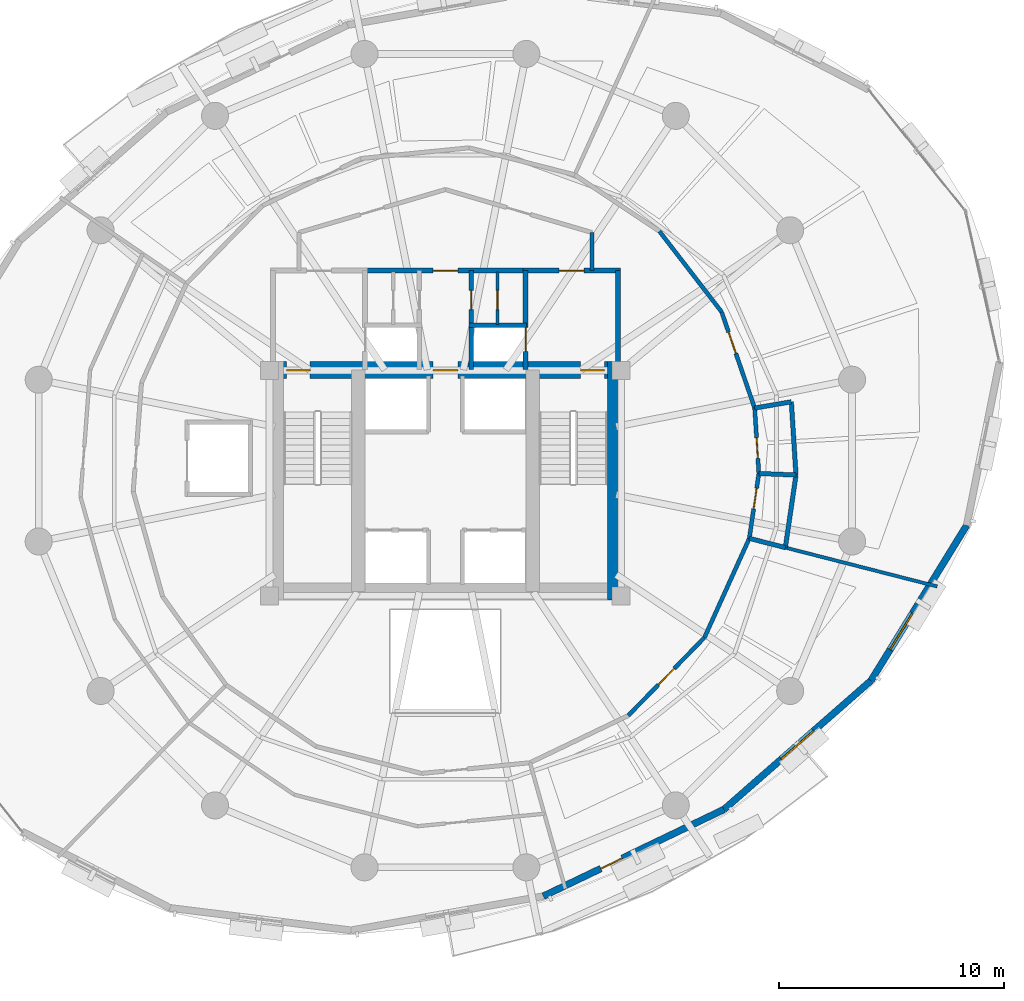
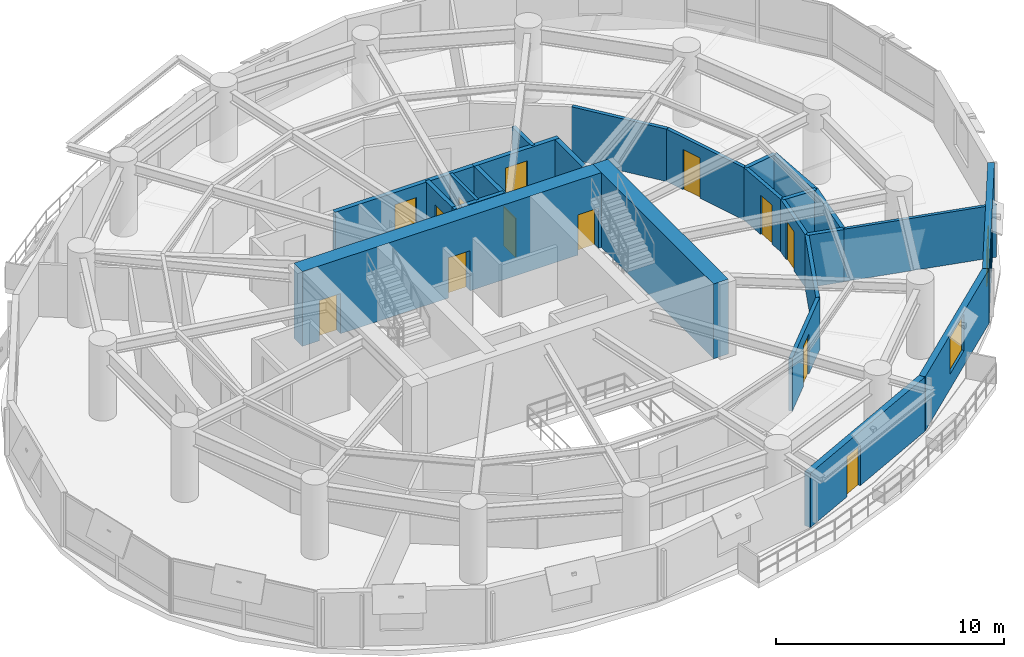
# One storey, part 11 of 15: 25 walls, 13 doors, 2 windows, 15 openings.
"""IFC4 building model written with IfcOpenShell, lengths in metres."""

from ifc_helpers import new_model, si_unit, direction, frame, frame_2d, origin, place, context, subcontext, project, spatial, rectangle, extrude, material, layer, layer_set, type_object, element, fill, save


model = new_model("IFC4")

# Units and contexts
model_context = context("Model", 3, precision=1e-05, world=origin(), true_north=direction((0.0, 1.0)))
body_context = subcontext(model_context, "Body", "Model", "MODEL_VIEW")
ifc_project = project(units=[si_unit("LENGTHUNIT", "METRE"), si_unit("AREAUNIT", "SQUARE_METRE"), si_unit("VOLUMEUNIT", "CUBIC_METRE"), si_unit("PLANEANGLEUNIT", "RADIAN"), si_unit("MASSUNIT", "GRAM", prefix="KILO"), si_unit("THERMODYNAMICTEMPERATUREUNIT", "KELVIN"), si_unit("POWERUNIT", "WATT")], contexts=[model_context])

# Site, building, storey
site_placement = place(None, origin())
site = spatial("IfcSite", under=ifc_project, at=site_placement, CompositionType="ELEMENT")
building_placement = place(site_placement, origin())
building = spatial("IfcBuilding", under=site, at=building_placement, Name="Ocrelia Relay Tower", CompositionType="ELEMENT")
storey_placement = place(building_placement, frame((0.0, 0.0, 141.800048828125)))
storey = spatial("IfcBuildingStorey", under=building, at=storey_placement, Name="L33", CompositionType="ELEMENT", Elevation=141.800048828125)

# Wall, openings, doors
ifc_material_1 = material(Name="Concrete C60/75", Category="concrete")
ifc_layer_1 = layer(ifc_material_1, 0.75, Name="Concrete C60/75")
ifc_layer_set_1 = layer_set([ifc_layer_1], Name="Concrete C60/75")
wall_type_1 = type_object("IfcWallType", Name="CW-CORE-750", PredefinedType="SHEAR", material=ifc_layer_set_1)
wall_1_placement = place(storey_placement, frame((26.072021484375, 30.012939453125, 0.0), z_axis=(0.0, 0.0, 1.0), x_axis=(1.0, 0.0, 0.0)))
wall_1 = element("IfcWall", 1, at=wall_1_placement, inside=storey, type_object=wall_type_1, Name="L33 Core Shear Wall N", PredefinedType="SHEAR", context=body_context, shape_type="SweptSolid", body=[
    extrude(rectangle(XDim=15.865966796875, YDim=0.75, at=frame_2d((7.93310546875, 0.0))), origin(), (0.0, 0.0, 1.0), 4.0),
])
opening_1_placement = place(wall_1_placement, frame((0.8779296875, 0.0, 0.0)))
opening_1 = element("IfcOpeningElement", 2, at=opening_1_placement, cuts=wall_1, Name="Opening D-FD90", PredefinedType="OPENING", context=body_context, shape_type="SweptSolid", body=[
    extrude(rectangle(XDim=1.050048828125, YDim=2.14990234375, at=frame_2d((0.52490234375, 1.074951171875))), frame((0.0, 0.385009765625, 0.0), z_axis=(0.0, -1.0, 0.0), x_axis=(1.0, 0.0, 0.0)), (0.0, 0.0, 1.0), 0.77001953125),
])
opening_2_placement = place(wall_1_placement, frame((13.927978515625, 0.0, 0.0)))
opening_2 = element("IfcOpeningElement", 3, at=opening_2_placement, cuts=wall_1, Name="Opening D-FD90", PredefinedType="OPENING", context=body_context, shape_type="SweptSolid", body=[
    extrude(rectangle(XDim=1.050048828125, YDim=2.14990234375, at=frame_2d((0.52490234375, 1.074951171875))), frame((0.0, 0.385009765625, 0.0), z_axis=(0.0, -1.0, 0.0), x_axis=(1.0, 0.0, 0.0)), (0.0, 0.0, 1.0), 0.77001953125),
])
opening_3_placement = place(wall_1_placement, frame((7.3779296875, 0.0, 0.0)))
opening_3 = element("IfcOpeningElement", 4, at=opening_3_placement, cuts=wall_1, Name="Opening D-FD60", PredefinedType="OPENING", context=body_context, shape_type="SweptSolid", body=[
    extrude(rectangle(XDim=1.10009765625, YDim=2.14990234375, at=frame_2d((0.550048828125, 1.074951171875))), frame((0.0, 0.385009765625, 0.0), z_axis=(0.0, -1.0, 0.0), x_axis=(1.0, 0.0, 0.0)), (0.0, 0.0, 1.0), 0.77001953125),
])
ifc_material_2 = material(Name="Timber-core 60-min acoustic fire door", Category="wood")
door_type_1 = type_object("IfcDoorType", Name="DR-LOBBY-FD60-1100", OperationType="NOTDEFINED", PredefinedType="DOOR", material=ifc_material_2)
door_1_placement = place(opening_3_placement, origin())
door_1 = element("IfcDoor", 5, at=door_1_placement, inside=storey, type_object=door_type_1, Name="L33 Core Lift Lobby North Fire Door", OperationType="SINGLE_SWING_LEFT", OverallHeight=2.14990234375, OverallWidth=1.10009765625, PredefinedType="DOOR", context=body_context, shape_type="SweptSolid", body=[
    extrude(rectangle(XDim=1.10009765625, YDim=2.14990234375, at=frame_2d((0.550048828125, 1.074951171875))), frame((0.0, 0.02490234375, 0.0), z_axis=(0.0, -1.0, 0.0), x_axis=(1.0, 0.0, 0.0)), (0.0, 0.0, 1.0), 0.050048828125),
])
fill(opening_3, door_1)
ifc_material_3 = material(Name="Steel S355 90-min fire door", Category="steel")
door_type_2 = type_object("IfcDoorType", Name="DR-STAIR-FD90-1050", OperationType="NOTDEFINED", PredefinedType="DOOR", material=ifc_material_3)
door_2_placement = place(opening_1_placement, origin())
door_2 = element("IfcDoor", 6, at=door_2_placement, inside=storey, type_object=door_type_2, Name="L33 Stair ST1 Fire Door", OperationType="SINGLE_SWING_LEFT", OverallHeight=2.14990234375, OverallWidth=1.050048828125, PredefinedType="DOOR", context=body_context, shape_type="SweptSolid", body=[
    extrude(rectangle(XDim=1.050048828125, YDim=2.14990234375, at=frame_2d((0.52490234375, 1.074951171875))), frame((0.0, 0.02490234375, 0.0), z_axis=(0.0, -1.0, 0.0), x_axis=(1.0, 0.0, 0.0)), (0.0, 0.0, 1.0), 0.050048828125),
])
fill(opening_1, door_2)
door_3_placement = place(opening_2_placement, origin())
door_3 = element("IfcDoor", 7, at=door_3_placement, inside=storey, type_object=door_type_2, Name="L33 Stair ST2 Fire Door", OperationType="SINGLE_SWING_RIGHT", OverallHeight=2.14990234375, OverallWidth=1.050048828125, PredefinedType="DOOR", context=body_context, shape_type="SweptSolid", body=[
    extrude(rectangle(XDim=1.050048828125, YDim=2.14990234375, at=frame_2d((0.52490234375, 1.074951171875))), frame((0.0, 0.02490234375, 0.0), z_axis=(0.0, -1.0, 0.0), x_axis=(1.0, 0.0, 0.0)), (0.0, 0.0, 1.0), 0.050048828125),
])
fill(opening_2, door_3)

# Walls
wall_2_placement = place(storey_placement, frame((41.56298828125, 19.81201171875, 0.0), z_axis=(0.0, 0.0, 1.0), x_axis=(0.0, 1.0, 0.0)))
element("IfcWall", 8, at=wall_2_placement, inside=storey, type_object=wall_type_1, Name="L33 Core Shear Wall E", PredefinedType="SHEAR", context=body_context, shape_type="SweptSolid", body=[
    extrude(rectangle(XDim=10.575927734375, YDim=0.75, at=frame_2d((5.2880859375, 0.0))), origin(), (0.0, 0.0, 1.0), 4.0),
])
ifc_material_4 = material(Name="Gypsum Fireboard Partition EI60", Category="gypsum")
ifc_layer_2 = layer(ifc_material_4, 0.179931640625, Name="Gypsum Fireboard Partition EI60")
ifc_layer_set_2 = layer_set([ifc_layer_2], Name="Gypsum Fireboard Partition EI60")
wall_type_2 = type_object("IfcWallType", Name="W-CORR-EI60-180", PredefinedType="PARTITIONING", material=ifc_layer_set_2)
wall_3_placement = place(storey_placement, frame((40.5, 36.122802734375, 0.0), z_axis=(0.0, 0.0, 1.0), x_axis=(0.0, -1.0, 0.0)))
element("IfcWall", 9, at=wall_3_placement, inside=storey, type_object=wall_type_2, Name="L33 Smoke Lobby East Return", PredefinedType="PARTITIONING", context=body_context, shape_type="SweptSolid", body=[
    extrude(rectangle(XDim=1.69287109375, YDim=0.179931640625, at=frame_2d((0.846435546875, 0.0))), origin(), (0.0, 0.0, 1.0), 2.800048828125),
])

# Wall, opening, door
wall_4_placement = place(storey_placement, frame((47.485595703125, 22.550048828125, 0.0), z_axis=(0.0, 0.0, 1.0), x_axis=(0.145225883829, 0.989398525704, 0.0)))
wall_4 = element("IfcWall", 10, at=wall_4_placement, inside=storey, type_object=wall_type_2, Name="L33 Staff Toilet Corridor Wall", PredefinedType="PARTITIONING", context=body_context, shape_type="SweptSolid", body=[
    extrude(rectangle(XDim=2.909912109375, YDim=0.179931640625, at=frame_2d((1.455078125, 0.0))), origin(), (0.0, 0.0, 1.0), 2.800048828125),
])
opening_4_placement = place(wall_4_placement, frame((1.321044921875, 0.0, 0.0)))
opening_4 = element("IfcOpeningElement", 11, at=opening_4_placement, cuts=wall_4, Name="Opening D-WC92", PredefinedType="OPENING", context=body_context, shape_type="SweptSolid", body=[
    extrude(rectangle(XDim=0.919921875, YDim=2.10009765625, at=frame_2d((0.4599609375, 1.050048828125))), frame((0.0, 0.10009765625, 0.0), z_axis=(0.0, -1.0, 0.0), x_axis=(1.0, 0.0, 0.0)), (0.0, 0.0, 1.0), 0.199951171875),
])
ifc_material_5 = material(Name="Laminate washroom door", Category="wood")
door_type_3 = type_object("IfcDoorType", Name="DR-WC-920", OperationType="NOTDEFINED", PredefinedType="DOOR", material=ifc_material_5)
door_4_placement = place(opening_4_placement, origin())
door_4 = element("IfcDoor", 12, at=door_4_placement, inside=storey, type_object=door_type_3, Name="L33 Staff Toilet Door", OperationType="SINGLE_SWING_LEFT", OverallHeight=2.10009765625, OverallWidth=0.919921875, PredefinedType="DOOR", context=body_context, shape_type="SweptSolid", body=[
    extrude(rectangle(XDim=0.919921875, YDim=2.10009765625, at=frame_2d((0.4599609375, 1.050048828125))), frame((0.0, 0.02490234375, 0.0), z_axis=(0.0, -1.0, 0.0), x_axis=(1.0, 0.0, 0.0)), (0.0, 0.0, 1.0), 0.050048828125),
])
fill(opening_4, door_4)

wall_5_placement = place(storey_placement, frame((47.908203125, 25.42919921875, 0.0), z_axis=(0.0, 0.0, 1.0), x_axis=(-0.063673489027, 0.99797078454, 0.0)))
wall_5 = element("IfcWall", 13, at=wall_5_placement, inside=storey, type_object=wall_type_2, Name="L33 Accessible Toilet Corridor Wall", PredefinedType="PARTITIONING", context=body_context, shape_type="SweptSolid", body=[
    extrude(rectangle(XDim=2.91015625, YDim=0.179931640625, at=frame_2d((1.455078125, 0.0))), origin(), (0.0, 0.0, 1.0), 2.800048828125),
])
opening_5_placement = place(wall_5_placement, frame((0.6689453125, 0.0, 0.0)))
opening_5 = element("IfcOpeningElement", 14, at=opening_5_placement, cuts=wall_5, Name="Opening D-WC92", PredefinedType="OPENING", context=body_context, shape_type="SweptSolid", body=[
    extrude(rectangle(XDim=0.919921875, YDim=2.10009765625, at=frame_2d((0.4599609375, 1.050048828125))), frame((0.0, 0.10009765625, 0.0), z_axis=(0.0, -1.0, 0.0), x_axis=(1.0, 0.0, 0.0)), (0.0, 0.0, 1.0), 0.199951171875),
])
door_5_placement = place(opening_5_placement, origin())
door_5 = element("IfcDoor", 15, at=door_5_placement, inside=storey, type_object=door_type_3, Name="L33 Accessible Toilet Door", OperationType="SINGLE_SWING_RIGHT", OverallHeight=2.10009765625, OverallWidth=0.919921875, PredefinedType="DOOR", context=body_context, shape_type="SweptSolid", body=[
    extrude(rectangle(XDim=0.919921875, YDim=2.10009765625, at=frame_2d((0.4599609375, 1.050048828125))), frame((0.0, 0.02490234375, 0.0), z_axis=(0.0, -1.0, 0.0), x_axis=(1.0, 0.0, 0.0)), (0.0, 0.0, 1.0), 0.050048828125),
])
fill(opening_5, door_5)

wall_6_placement = place(storey_placement, frame((47.722900390625, 28.33349609375, 0.0), z_axis=(0.0, 0.0, 1.0), x_axis=(-0.325265650581, 0.945622681915, 0.0)))
wall_6 = element("IfcWall", 16, at=wall_6_placement, inside=storey, type_object=wall_type_2, Name="L33 Shift Staff Lounge Corridor Partition 1", PredefinedType="PARTITIONING", context=body_context, shape_type="SweptSolid", body=[
    extrude(rectangle(XDim=4.514892578125, YDim=0.179931640625, at=frame_2d((2.25732421875, 0.0))), origin(), (0.0, 0.0, 1.0), 2.800048828125),
])
opening_6_placement = place(wall_6_placement, frame((2.561279296875, 0.0, 0.0)))
opening_6 = element("IfcOpeningElement", 17, at=opening_6_placement, cuts=wall_6, Name="Opening D-RM100", PredefinedType="OPENING", context=body_context, shape_type="SweptSolid", body=[
    extrude(rectangle(XDim=1.0, YDim=2.14990234375, at=frame_2d((0.5, 1.074951171875))), frame((0.0, 0.10009765625, 0.0), z_axis=(0.0, -1.0, 0.0), x_axis=(1.0, 0.0, 0.0)), (0.0, 0.0, 1.0), 0.199951171875),
])
ifc_material_6 = material(Name="Acoustic oak veneer fire door", Category="wood")
door_type_4 = type_object("IfcDoorType", Name="DR-ROOM-FD60-1000", OperationType="NOTDEFINED", PredefinedType="DOOR", material=ifc_material_6)
door_6_placement = place(opening_6_placement, origin())
door_6 = element("IfcDoor", 18, at=door_6_placement, inside=storey, type_object=door_type_4, Name="L33 Shift Staff Lounge Entrance Door", OperationType="SINGLE_SWING_LEFT", OverallHeight=2.14990234375, OverallWidth=1.0, PredefinedType="DOOR", context=body_context, shape_type="SweptSolid", body=[
    extrude(rectangle(XDim=1.0, YDim=2.14990234375, at=frame_2d((0.5, 1.074951171875))), frame((0.0, 0.02490234375, 0.0), z_axis=(0.0, -1.0, 0.0), x_axis=(1.0, 0.0, 0.0)), (0.0, 0.0, 1.0), 0.050048828125),
])
fill(opening_6, door_6)

# Wall
wall_7_placement = place(storey_placement, frame((46.25439453125, 32.602783203125, 0.0), z_axis=(0.0, 0.0, 1.0), x_axis=(-0.61083638319, 0.791756852178, 0.0)))
element("IfcWall", 19, at=wall_7_placement, inside=storey, type_object=wall_type_2, Name="L33 Shift Staff Lounge Corridor Partition 2", PredefinedType="PARTITIONING", context=body_context, shape_type="SweptSolid", body=[
    extrude(rectangle(XDim=4.51513671875, YDim=0.179931640625, at=frame_2d((2.257568359375, 0.0))), origin(), (0.0, 0.0, 1.0), 2.800048828125),
])

# Wall, opening, door
wall_8_placement = place(storey_placement, frame((42.113037109375, 14.688720703125, 0.0), z_axis=(0.0, 0.0, 1.0), x_axis=(0.699031567745, 0.715090810524, 0.0)))
wall_8 = element("IfcWall", 20, at=wall_8_placement, inside=storey, type_object=wall_type_2, Name="L33 Optical Systems Laboratory Corridor Partition 2", PredefinedType="PARTITIONING", context=body_context, shape_type="SweptSolid", body=[
    extrude(rectangle(XDim=4.83447265625, YDim=0.179931640625, at=frame_2d((2.417236328125, 0.0))), origin(), (0.0, 0.0, 1.0), 2.800048828125),
])
opening_7_placement = place(wall_8_placement, frame((1.917236328125, 0.0, 0.0)))
opening_7 = element("IfcOpeningElement", 21, at=opening_7_placement, cuts=wall_8, Name="Opening D-RM100", PredefinedType="OPENING", context=body_context, shape_type="SweptSolid", body=[
    extrude(rectangle(XDim=1.0, YDim=2.14990234375, at=frame_2d((0.5, 1.074951171875))), frame((0.0, 0.10009765625, 0.0), z_axis=(0.0, -1.0, 0.0), x_axis=(1.0, 0.0, 0.0)), (0.0, 0.0, 1.0), 0.199951171875),
])
door_7_placement = place(opening_7_placement, origin())
door_7 = element("IfcDoor", 22, at=door_7_placement, inside=storey, type_object=door_type_4, Name="L33 Optical Systems Laboratory Entrance Door", OperationType="SINGLE_SWING_LEFT", OverallHeight=2.14990234375, OverallWidth=1.0, PredefinedType="DOOR", context=body_context, shape_type="SweptSolid", body=[
    extrude(rectangle(XDim=1.0, YDim=2.14990234375, at=frame_2d((0.5, 1.074951171875))), frame((0.0, 0.02490234375, 0.0), z_axis=(0.0, -1.0, 0.0), x_axis=(1.0, 0.0, 0.0)), (0.0, 0.0, 1.0), 0.050048828125),
])
fill(opening_7, door_7)

# Wall
wall_9_placement = place(storey_placement, frame((45.492431640625, 18.145751953125, 0.0), z_axis=(0.0, 0.0, 1.0), x_axis=(0.412295629085, 0.911050116205, 0.0)))
element("IfcWall", 23, at=wall_9_placement, inside=storey, type_object=wall_type_2, Name="L33 Optical Systems Laboratory Corridor Partition 3", PredefinedType="PARTITIONING", context=body_context, shape_type="SweptSolid", body=[
    extrude(rectangle(XDim=4.834228515625, YDim=0.179931640625, at=frame_2d((2.4169921875, 0.0))), origin(), (0.0, 0.0, 1.0), 2.800048828125),
])

# Wall, opening, door
ifc_material_7 = material(Name="Precast concrete C40/50 with oxide terracotta", Category="masonry")
ifc_layer_3 = layer(ifc_material_7, 0.300048828125, Name="Precast concrete C40/50 with oxide terracotta")
ifc_layer_set_3 = layer_set([ifc_layer_3], Name="Precast concrete C40/50 with oxide terracotta")
wall_type_3 = type_object("IfcWallType", Name="W-EXT-TERR-300", PredefinedType="SOLIDWALL", material=ifc_layer_set_3)
wall_10_placement = place(storey_placement, frame((38.34814453125, 6.675537109375, 0.0), z_axis=(0.0, 0.0, 1.0), x_axis=(0.901452771154, 0.432877466933, 0.0)))
wall_10 = element("IfcWall", 24, at=wall_10_placement, inside=storey, type_object=wall_type_3, Name="L33 Oxide Terracotta Facade Wall 14", PredefinedType="SOLIDWALL", context=body_context, shape_type="SweptSolid", body=[
    extrude(rectangle(XDim=8.890869140625, YDim=0.300048828125, at=frame_2d((4.4453125, 0.0))), origin(), (0.0, 0.0, 1.0), 2.89990234375),
])
opening_8_placement = place(wall_10_placement, frame((2.830078125, 0.0, 0.0)))
opening_8 = element("IfcOpeningElement", 25, at=opening_8_placement, cuts=wall_10, Name="Opening DB-105", PredefinedType="OPENING", context=body_context, shape_type="SweptSolid", body=[
    extrude(rectangle(XDim=1.050048828125, YDim=2.14990234375, at=frame_2d((0.52490234375, 1.074951171875))), frame((0.0, 0.16015625, 0.0), z_axis=(0.0, -1.0, 0.0), x_axis=(1.0, 0.0, 0.0)), (0.0, 0.0, 1.0), 0.320068359375),
])
ifc_material_8 = material(Name="Thermally broken aluminium and clear glass", Category="aluminium")
door_type_5 = type_object("IfcDoorType", Name="DR-BALC-1050", OperationType="NOTDEFINED", PredefinedType="DOOR", material=ifc_material_8)
door_8_placement = place(opening_8_placement, origin())
door_8 = element("IfcDoor", 26, at=door_8_placement, inside=storey, type_object=door_type_5, Name="L33 Planted Loggia Balcony Door B2", OperationType="SINGLE_SWING_LEFT", OverallHeight=2.14990234375, OverallWidth=1.050048828125, PredefinedType="DOOR", context=body_context, shape_type="SweptSolid", body=[
    extrude(rectangle(XDim=1.050048828125, YDim=2.14990234375, at=frame_2d((0.52490234375, 1.074951171875))), frame((0.0, 0.02490234375, 0.0), z_axis=(0.0, -1.0, 0.0), x_axis=(1.0, 0.0, 0.0)), (0.0, 0.0, 1.0), 0.050048828125),
])
fill(opening_8, door_8)

# Wall, opening, window
wall_11_placement = place(storey_placement, frame((46.36279296875, 10.524169921875, 0.0), z_axis=(0.0, 0.0, 1.0), x_axis=(0.752158034989, 0.658982769427, 0.0)))
wall_11 = element("IfcWall", 27, at=wall_11_placement, inside=storey, type_object=wall_type_3, Name="L33 Oxide Terracotta Facade Wall 15", PredefinedType="SOLIDWALL", context=body_context, shape_type="SweptSolid", body=[
    extrude(rectangle(XDim=8.6728515625, YDim=0.300048828125, at=frame_2d((4.33642578125, 0.0))), origin(), (0.0, 0.0, 1.0), 2.89990234375),
])
opening_9_placement = place(wall_11_placement, frame((3.385986328125, 0.0, 0.800048828125)))
opening_9 = element("IfcOpeningElement", 28, at=opening_9_placement, cuts=wall_11, Name="Opening W-06", PredefinedType="OPENING", context=body_context, shape_type="SweptSolid", body=[
    extrude(rectangle(XDim=1.89990234375, YDim=1.949951171875, at=frame_2d((0.949951171875, 0.97509765625))), frame((0.0, 0.16015625, 0.0), z_axis=(0.0, -1.0, 0.0), x_axis=(1.0, 0.0, 0.0)), (0.0, 0.0, 1.0), 0.320068359375),
])
ifc_material_9 = material(Name="Clear double-glazed low-E glass", Category="glass")
window_type = type_object("IfcWindowType", Name="WIN-Z2-1900x2100", PartitioningType="DOUBLE_PANEL_VERTICAL", PredefinedType="WINDOW", material=ifc_material_9)
window_1_placement = place(opening_9_placement, origin())
window_1 = element("IfcWindow", 29, at=window_1_placement, inside=storey, type_object=window_type, Name="L33 Facade Module Window 15", OverallHeight=1.949951171875, OverallWidth=1.89990234375, PartitioningType="SINGLE_PANEL", PredefinedType="WINDOW", context=body_context, shape_type="SweptSolid", body=[
    extrude(rectangle(XDim=1.89990234375, YDim=1.949951171875, at=frame_2d((0.949951171875, 0.97509765625))), frame((0.0, 0.030029296875, 0.0), z_axis=(0.0, -1.0, 0.0), x_axis=(1.0, 0.0, 0.0)), (0.0, 0.0, 1.0), 0.06005859375),
])
fill(opening_9, window_1)

wall_12_placement = place(storey_placement, frame((52.88623046875, 16.239501953125, 0.0), z_axis=(0.0, 0.0, 1.0), x_axis=(0.524470936868, 0.851428350703, 0.0)))
wall_12 = element("IfcWall", 30, at=wall_12_placement, inside=storey, type_object=wall_type_3, Name="L33 Oxide Terracotta Facade Wall 16", PredefinedType="SOLIDWALL", context=body_context, shape_type="SweptSolid", body=[
    extrude(rectangle(XDim=8.094970703125, YDim=0.300048828125, at=frame_2d((4.04736328125, 0.0))), origin(), (0.0, 0.0, 1.0), 2.89990234375),
])
opening_10_placement = place(wall_12_placement, frame((1.614990234375, 0.0, 0.800048828125)))
opening_10 = element("IfcOpeningElement", 31, at=opening_10_placement, cuts=wall_12, Name="Opening W-06", PredefinedType="OPENING", context=body_context, shape_type="SweptSolid", body=[
    extrude(rectangle(XDim=1.89990234375, YDim=1.949951171875, at=frame_2d((0.949951171875, 0.97509765625))), frame((0.0, 0.16015625, 0.0), z_axis=(0.0, -1.0, 0.0), x_axis=(1.0, 0.0, 0.0)), (0.0, 0.0, 1.0), 0.320068359375),
])
window_2_placement = place(opening_10_placement, origin())
window_2 = element("IfcWindow", 32, at=window_2_placement, inside=storey, type_object=window_type, Name="L33 Facade Module Window 16", OverallHeight=1.949951171875, OverallWidth=1.89990234375, PartitioningType="SINGLE_PANEL", PredefinedType="WINDOW", context=body_context, shape_type="SweptSolid", body=[
    extrude(rectangle(XDim=1.89990234375, YDim=1.949951171875, at=frame_2d((0.949951171875, 0.97509765625))), frame((0.0, 0.030029296875, 0.0), z_axis=(0.0, -1.0, 0.0), x_axis=(1.0, 0.0, 0.0)), (0.0, 0.0, 1.0), 0.06005859375),
])
fill(opening_10, window_2)

# Wall, opening, door
ifc_material_10 = material(Name="Concrete C50/60", Category="concrete")
ifc_layer_4 = layer(ifc_material_10, 0.219970703125, Name="Concrete C50/60")
ifc_layer_set_4 = layer_set([ifc_layer_4], Name="Concrete C50/60")
wall_type_4 = type_object("IfcWallType", Name="W-FFL-EI120-220", PredefinedType="SOLIDWALL", material=ifc_layer_set_4)
wall_13_placement = place(storey_placement, frame((37.56005859375, 30.050048828125, 0.0), z_axis=(0.0, 0.0, 1.0), x_axis=(0.0, 1.0, 0.0)))
wall_13 = element("IfcWall", 33, at=wall_13_placement, inside=storey, type_object=wall_type_4, Name="L33 E Fire Service Lift Lobby West Wall", PredefinedType="SOLIDWALL", context=body_context, shape_type="SweptSolid", body=[
    extrude(rectangle(XDim=4.3798828125, YDim=0.219970703125, at=frame_2d((2.18994140625, 0.0))), origin(), (0.0, 0.0, 1.0), 2.800048828125),
])
opening_11_placement = place(wall_13_placement, frame((0.800048828125, 0.0, 0.0)))
opening_11 = element("IfcOpeningElement", 34, at=opening_11_placement, cuts=wall_13, Name="Opening LD-FFL2", PredefinedType="OPENING", context=body_context, shape_type="SweptSolid", body=[
    extrude(rectangle(XDim=1.050048828125, YDim=2.10009765625, at=frame_2d((0.52490234375, 1.050048828125))), frame((0.0, 0.1201171875, 0.0), z_axis=(0.0, -1.0, 0.0), x_axis=(1.0, 0.0, 0.0)), (0.0, 0.0, 1.0), 0.239990234375),
])
ifc_material_11 = material(Name="Brushed stainless steel S355 lift landing door", Category="steel")
door_type_6 = type_object("IfcDoorType", Name="DR-LIFT-LAND-1050", OperationType="DOUBLE_DOOR_SLIDING", PredefinedType="USERDEFINED", material=ifc_material_11)
door_9_placement = place(opening_11_placement, origin())
door_9 = element("IfcDoor", 35, at=door_9_placement, inside=storey, type_object=door_type_6, Name="L33 Firefighting Lift FFL2 Sliding Landing Door", ObjectType="LANDING DOOR", OperationType="DOUBLE_DOOR_SLIDING", OverallHeight=2.10009765625, OverallWidth=1.050048828125, PredefinedType="USERDEFINED", context=body_context, shape_type="SweptSolid", body=[
    extrude(rectangle(XDim=1.050048828125, YDim=2.10009765625, at=frame_2d((0.52490234375, 1.050048828125))), frame((0.0, 0.02490234375, 0.0), z_axis=(0.0, -1.0, 0.0), x_axis=(1.0, 0.0, 0.0)), (0.0, 0.0, 1.0), 0.050048828125),
])
fill(opening_11, door_9)

# Wall
wall_14_placement = place(storey_placement, frame((41.64990234375, 30.050048828125, 0.0), z_axis=(0.0, 0.0, 1.0), x_axis=(0.0, 1.0, 0.0)))
element("IfcWall", 36, at=wall_14_placement, inside=storey, type_object=wall_type_4, Name="L33 E Fire Service Lift Lobby East Wall", PredefinedType="SOLIDWALL", context=body_context, shape_type="SweptSolid", body=[
    extrude(rectangle(XDim=4.3798828125, YDim=0.219970703125, at=frame_2d((2.18994140625, 0.0))), origin(), (0.0, 0.0, 1.0), 2.800048828125),
])

# Wall, opening, door
wall_15_placement = place(storey_placement, frame((37.449951171875, 34.429931640625, 0.0), z_axis=(0.0, 0.0, 1.0), x_axis=(1.0, 0.0, 0.0)))
wall_15 = element("IfcWall", 37, at=wall_15_placement, inside=storey, type_object=wall_type_4, Name="L33 E Fire Service Lift Lobby North Wall", PredefinedType="SOLIDWALL", context=body_context, shape_type="SweptSolid", body=[
    extrude(rectangle(XDim=4.31005859375, YDim=0.219970703125, at=frame_2d((2.155029296875, 0.0))), origin(), (0.0, 0.0, 1.0), 2.800048828125),
])
opening_12_placement = place(wall_15_placement, frame((1.60009765625, 0.0, 0.0)))
opening_12 = element("IfcOpeningElement", 38, at=opening_12_placement, cuts=wall_15, Name="Opening D-FD60", PredefinedType="OPENING", context=body_context, shape_type="SweptSolid", body=[
    extrude(rectangle(XDim=1.10009765625, YDim=2.14990234375, at=frame_2d((0.550048828125, 1.074951171875))), frame((0.0, 0.1201171875, 0.0), z_axis=(0.0, -1.0, 0.0), x_axis=(1.0, 0.0, 0.0)), (0.0, 0.0, 1.0), 0.239990234375),
])
door_10_placement = place(opening_12_placement, origin())
door_10 = element("IfcDoor", 39, at=door_10_placement, inside=storey, type_object=door_type_1, Name="L33 E Fire Service Lift Lobby Exit Door", OperationType="SINGLE_SWING_RIGHT", OverallHeight=2.14990234375, OverallWidth=1.10009765625, PredefinedType="DOOR", context=body_context, shape_type="SweptSolid", body=[
    extrude(rectangle(XDim=1.10009765625, YDim=2.14990234375, at=frame_2d((0.550048828125, 1.074951171875))), frame((0.0, 0.02490234375, 0.0), z_axis=(0.0, -1.0, 0.0), x_axis=(1.0, 0.0, 0.0)), (0.0, 0.0, 1.0), 0.050048828125),
])
fill(opening_12, door_10)

wall_16_placement = place(storey_placement, frame((30.43994140625, 34.429931640625, 0.0), z_axis=(0.0, 0.0, 1.0), x_axis=(1.0, 0.0, 0.0)))
wall_16 = element("IfcWall", 40, at=wall_16_placement, inside=storey, type_object=wall_type_4, Name="L33 North Core Vestibule Wall", PredefinedType="SOLIDWALL", context=body_context, shape_type="SweptSolid", body=[
    extrude(rectangle(XDim=7.1201171875, YDim=0.219970703125, at=frame_2d((3.56005859375, 0.0))), origin(), (0.0, 0.0, 1.0), 2.800048828125),
])
opening_13_placement = place(wall_16_placement, frame((3.010009765625, 0.0, 0.0)))
opening_13 = element("IfcOpeningElement", 41, at=opening_13_placement, cuts=wall_16, Name="Opening D-FD60", PredefinedType="OPENING", context=body_context, shape_type="SweptSolid", body=[
    extrude(rectangle(XDim=1.10009765625, YDim=2.14990234375, at=frame_2d((0.550048828125, 1.074951171875))), frame((0.0, 0.1201171875, 0.0), z_axis=(0.0, -1.0, 0.0), x_axis=(1.0, 0.0, 0.0)), (0.0, 0.0, 1.0), 0.239990234375),
])
door_11_placement = place(opening_13_placement, origin())
door_11 = element("IfcDoor", 42, at=door_11_placement, inside=storey, type_object=door_type_1, Name="L33 North Core Vestibule Corridor Door", OperationType="SINGLE_SWING_RIGHT", OverallHeight=2.14990234375, OverallWidth=1.10009765625, PredefinedType="DOOR", context=body_context, shape_type="SweptSolid", body=[
    extrude(rectangle(XDim=1.10009765625, YDim=2.14990234375, at=frame_2d((0.550048828125, 1.074951171875))), frame((0.0, 0.02490234375, 0.0), z_axis=(0.0, -1.0, 0.0), x_axis=(1.0, 0.0, 0.0)), (0.0, 0.0, 1.0), 0.050048828125),
])
fill(opening_13, door_11)

ifc_material_12 = material(Name="Acoustic Fireboard Partition EI60", Category="gypsum")
ifc_layer_5 = layer(ifc_material_12, 0.14990234375, Name="Acoustic Fireboard Partition EI60")
ifc_layer_set_5 = layer_set([ifc_layer_5], Name="Acoustic Fireboard Partition EI60")
wall_type_5 = type_object("IfcWallType", Name="W-PART-150", PredefinedType="PARTITIONING", material=ifc_layer_set_5)
wall_17_placement = place(storey_placement, frame((36.31005859375, 32.050048828125, 0.0), z_axis=(0.0, 0.0, 1.0), x_axis=(0.0, 1.0, 0.0)))
wall_17 = element("IfcWall", 43, at=wall_17_placement, inside=storey, type_object=wall_type_5, Name="L33 East Core Support Partition", PredefinedType="PARTITIONING", context=body_context, shape_type="SweptSolid", body=[
    extrude(rectangle(XDim=2.329833984375, YDim=0.14990234375, at=frame_2d((1.1650390625, 0.0))), origin(), (0.0, 0.0, 1.0), 2.800048828125),
])
opening_14_placement = place(wall_17_placement, frame((0.64990234375, 0.0, 0.0)))
opening_14 = element("IfcOpeningElement", 44, at=opening_14_placement, cuts=wall_17, Name="Opening D-RS86", PredefinedType="OPENING", context=body_context, shape_type="SweptSolid", body=[
    extrude(rectangle(XDim=0.860107421875, YDim=2.050048828125, at=frame_2d((0.43017578125, 1.02490234375))), frame((0.0, 0.0849609375, 0.0), z_axis=(0.0, -1.0, 0.0), x_axis=(1.0, 0.0, 0.0)), (0.0, 0.0, 1.0), 0.169921875),
])
ifc_material_13 = material(Name="Steel S355 riser access fire door", Category="steel")
door_type_7 = type_object("IfcDoorType", Name="DR-RISER-TRAP-860", OperationType="NOTDEFINED", PredefinedType="TRAPDOOR", material=ifc_material_13)
door_12_placement = place(opening_14_placement, origin())
door_12 = element("IfcDoor", 45, at=door_12_placement, inside=storey, type_object=door_type_7, Name="L33 East Core Store Connecting Door", OperationType="SINGLE_SWING_RIGHT", OverallHeight=2.050048828125, OverallWidth=0.860107421875, PredefinedType="TRAPDOOR", context=body_context, shape_type="SweptSolid", body=[
    extrude(rectangle(XDim=0.860107421875, YDim=2.050048828125, at=frame_2d((0.43017578125, 1.02490234375))), frame((0.0, 0.02490234375, 0.0), z_axis=(0.0, -1.0, 0.0), x_axis=(1.0, 0.0, 0.0)), (0.0, 0.0, 1.0), 0.050048828125),
])
fill(opening_14, door_12)

# Walls
wall_18_placement = place(storey_placement, frame((49.084228515625, 22.14111328125, 0.0), z_axis=(0.0, 0.0, 1.0), x_axis=(0.968793883373, -0.247867729926, 0.0)))
element("IfcWall", 46, at=wall_18_placement, inside=storey, type_object=wall_type_5, Name="L33 Shift Staff Lounge Radial Partition", PredefinedType="PARTITIONING", context=body_context, shape_type="SweptSolid", body=[
    extrude(rectangle(XDim=6.954833984375, YDim=0.14990234375, at=frame_2d((3.4775390625, 0.0))), origin(), (0.0, 0.0, 1.0), 2.800048828125),
])
ifc_material_14 = material(Name="Moisture-Resistant Fireboard Chase Wall EI60", Category="gypsum")
ifc_layer_6 = layer(ifc_material_14, 0.199951171875, Name="Moisture-Resistant Fireboard Chase Wall EI60")
ifc_layer_set_6 = layer_set([ifc_layer_6], Name="Moisture-Resistant Fireboard Chase Wall EI60")
wall_type_6 = type_object("IfcWallType", Name="W-PLUMB-200", PredefinedType="PLUMBINGWALL", material=ifc_layer_set_6)
for number, where, z_axis, x_axis, name in (
    (47, (47.485595703125, 22.550048828125, 0.0), (0.0, 0.0, 1.0), (0.968805182852, -0.247823561588, 0.0), "L33 Staff Toilet Plumbing Radial Wall"),
    (48, (47.908203125, 25.42919921875, 0.0), (0.0, 0.0, 1.0), (0.999159788878, -0.040984341999, 0.0), "L33 Staff Toilet Plumbing Radial Wall"),
):
    element("IfcWall", number, at=place(storey_placement, frame(where, z_axis=z_axis, x_axis=x_axis)), inside=storey, type_object=wall_type_6, Name=name, PredefinedType="PLUMBINGWALL", context=body_context, shape_type="SweptSolid", body=[
        extrude(rectangle(XDim=1.650146484375, YDim=0.199951171875, at=frame_2d((0.8251953125, 0.0))), origin(), (0.0, 0.0, 1.0), 2.800048828125),
    ])
wall_19_placement = place(storey_placement, frame((49.084228515625, 22.14111328125, 0.0), z_axis=(0.0, 0.0, 1.0), x_axis=(0.145211109392, 0.989400694213, 0.0)))
element("IfcWall", 49, at=wall_19_placement, inside=storey, type_object=wall_type_6, Name="L33 Staff Toilet Back Plumbing Wall", PredefinedType="PLUMBINGWALL", context=body_context, shape_type="SweptSolid", body=[
    extrude(rectangle(XDim=3.2548828125, YDim=0.199951171875, at=frame_2d((1.62744140625, 0.0))), origin(), (0.0, 0.0, 1.0), 2.800048828125),
])
wall_20_placement = place(storey_placement, frame((47.722900390625, 28.33349609375, 0.0), z_axis=(0.0, 0.0, 1.0), x_axis=(0.98584875631, 0.167637196593, 0.0)))
element("IfcWall", 50, at=wall_20_placement, inside=storey, type_object=wall_type_6, Name="L33 Accessible Toilet Plumbing Radial Wall", PredefinedType="PLUMBINGWALL", context=body_context, shape_type="SweptSolid", body=[
    extrude(rectangle(XDim=1.650146484375, YDim=0.199951171875, at=frame_2d((0.8251953125, 0.0))), origin(), (0.0, 0.0, 1.0), 2.800048828125),
])
wall_21_placement = place(storey_placement, frame((49.556884765625, 25.361572265625, 0.0), z_axis=(0.0, 0.0, 1.0), x_axis=(-0.063676314671, 0.997970604251, 0.0)))
element("IfcWall", 51, at=wall_21_placement, inside=storey, type_object=wall_type_6, Name="L33 Accessible Toilet Back Plumbing Wall", PredefinedType="PLUMBINGWALL", context=body_context, shape_type="SweptSolid", body=[
    extrude(rectangle(XDim=3.255126953125, YDim=0.199951171875, at=frame_2d((1.62744140625, 0.0))), origin(), (0.0, 0.0, 1.0), 2.800048828125),
])
ifc_layer_7 = layer(ifc_material_10, 0.199951171875, Name="Concrete C50/60")
ifc_layer_set_7 = layer_set([ifc_layer_7], Name="Concrete C50/60")
wall_type_7 = type_object("IfcWallType", Name="W-SHAFT-EI120-200", PredefinedType="SOLIDWALL", material=ifc_layer_set_7)
wall_22_placement = place(storey_placement, frame((35.050048828125, 32.0, 0.0), z_axis=(0.0, 0.0, 1.0), x_axis=(1.0, 0.0, 0.0)))
element("IfcWall", 52, at=wall_22_placement, inside=storey, type_object=wall_type_7, Name="L33 FFL2 Hoistway North Wall", PredefinedType="SOLIDWALL", context=body_context, shape_type="SweptSolid", body=[
    extrude(rectangle(XDim=2.550048828125, YDim=0.199951171875, at=frame_2d((1.27490234375, 0.0))), origin(), (0.0, 0.0, 1.0), 2.800048828125),
])

# Wall, opening, door
wall_23_placement = place(storey_placement, frame((35.14990234375, 30.050048828125, 0.0), z_axis=(0.0, 0.0, 1.0), x_axis=(0.0, 1.0, 0.0)))
wall_23 = element("IfcWall", 53, at=wall_23_placement, inside=storey, type_object=wall_type_7, Name="L33 FFL2 and Service Vestibule Wall", PredefinedType="SOLIDWALL", context=body_context, shape_type="SweptSolid", body=[
    extrude(rectangle(XDim=4.3798828125, YDim=0.199951171875, at=frame_2d((2.18994140625, 0.0))), origin(), (0.0, 0.0, 1.0), 2.800048828125),
])
opening_15_placement = place(wall_23_placement, frame((2.64990234375, 0.0, 0.0)))
opening_15 = element("IfcOpeningElement", 54, at=opening_15_placement, cuts=wall_23, Name="Opening D-RS86", PredefinedType="OPENING", context=body_context, shape_type="SweptSolid", body=[
    extrude(rectangle(XDim=0.860107421875, YDim=2.050048828125, at=frame_2d((0.43017578125, 1.02490234375))), frame((0.0, 0.10986328125, 0.0), z_axis=(0.0, -1.0, 0.0), x_axis=(1.0, 0.0, 0.0)), (0.0, 0.0, 1.0), 0.219970703125),
])
door_13_placement = place(opening_15_placement, origin())
door_13 = element("IfcDoor", 55, at=door_13_placement, inside=storey, type_object=door_type_7, Name="L33 Core Support Room E Door", OperationType="SINGLE_SWING_LEFT", OverallHeight=2.050048828125, OverallWidth=0.860107421875, PredefinedType="TRAPDOOR", context=body_context, shape_type="SweptSolid", body=[
    extrude(rectangle(XDim=0.860107421875, YDim=2.050048828125, at=frame_2d((0.43017578125, 1.02490234375))), frame((0.0, 0.02490234375, 0.0), z_axis=(0.0, -1.0, 0.0), x_axis=(1.0, 0.0, 0.0)), (0.0, 0.0, 1.0), 0.050048828125),
])
fill(opening_15, door_13)

save(model, "model.ifc")
